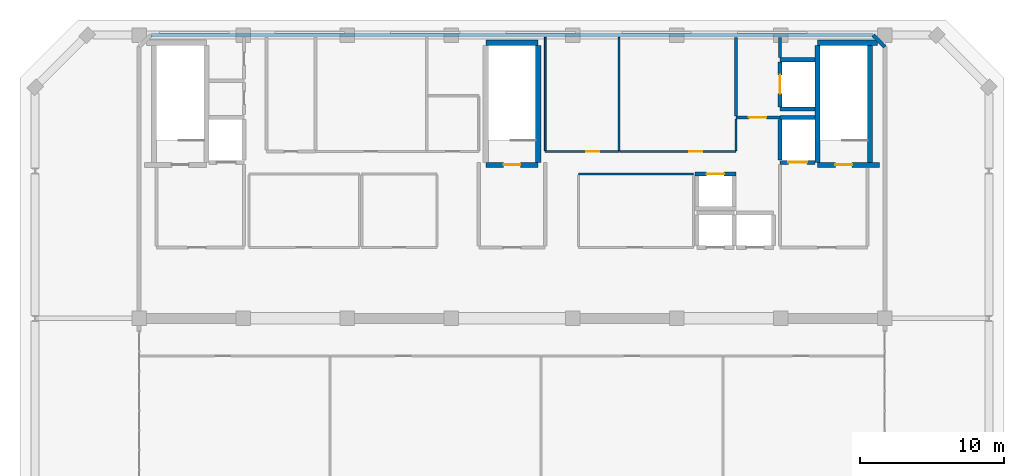
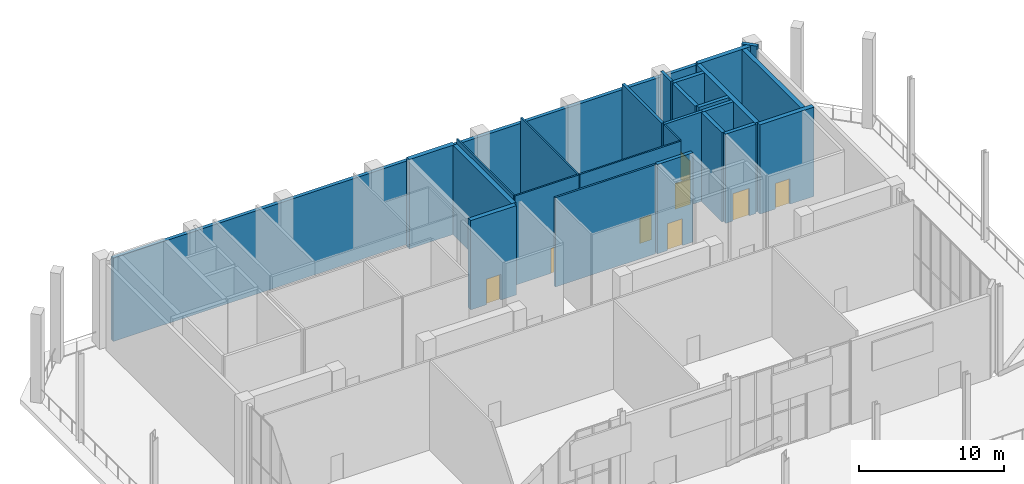
# One storey, part 22 of 23: 25 walls, 8 doors, 8 openings.
"""IFC4 building model written with IfcOpenShell, lengths in metres."""

import ifcopenshell
import ifcopenshell.guid

model = None  # the IFC model being written
_history = None  # IfcOwnerHistory: only IFC2X3 demands one
_inside = {}  # id of a spatial element -> (the spatial element, [elements in it])
_under = {}  # id of a project, library or spatial element -> (it, [spatial elements below it])
_declared = {}  # id of a project -> (the project, [libraries it declares])
_typed = {}  # id of a type object -> (the type object, [elements of that type])
_made_of = {}  # id of a material, layer set ... -> (it, [elements and type objects made of it])


def new_model(schema):
    """Start an empty IFC model of exactly this schema.

    Asked for "IFC4X3", IfcOpenShell would pick the latest addendum, in which some entities
    have other attributes; the version numbers below select the first issue.
    IFC2X3 requires an IfcOwnerHistory on every rooted entity: one is made here for all.
    """
    global model, _history
    if schema == "IFC4X3":
        model = ifcopenshell.file(schema_version=(4, 3, 0, 0))
    else:
        model = ifcopenshell.file(schema=schema)
    _inside.clear()
    _under.clear()
    _declared.clear()
    _typed.clear()
    _made_of.clear()
    _history = None
    if model.schema == "IFC2X3":
        org = make("IfcOrganization", Name="unknown")
        user = make(
            "IfcPersonAndOrganization",
            ThePerson=make("IfcPerson", FamilyName="unknown"),
            TheOrganization=org,
        )
        app = make(
            "IfcApplication",
            ApplicationDeveloper=org,
            Version="unknown",
            ApplicationFullName="unknown",
            ApplicationIdentifier="unknown",
        )
        _history = make(
            "IfcOwnerHistory",
            OwningUser=user,
            OwningApplication=app,
            ChangeAction="ADDED",
            CreationDate=0,
        )
    return model


def make(cls, **values):
    """One entity of the class cls with the attributes given. An attribute that is None is left unset."""
    return model.create_entity(
        cls, **{name: value for name, value in values.items() if value is not None}
    )


def rooted(cls, **values):
    """An entity with a GlobalId (a new one), such as an element, a storey or a relation."""
    return make(cls, GlobalId=ifcopenshell.guid.new(), OwnerHistory=_history, **values)


def si_unit(unit_type, name, prefix=None):
    """IfcSIUnit, for example si_unit("LENGTHUNIT", "METRE", prefix="MILLI")."""
    return make("IfcSIUnit", UnitType=unit_type, Prefix=prefix, Name=name)


def assignment(units):
    """IfcUnitAssignment: the units of a project."""
    return None if units is None else make("IfcUnitAssignment", Units=units)


def point(xyz):
    """IfcCartesianPoint."""
    return None if xyz is None else make("IfcCartesianPoint", Coordinates=xyz)


def direction(xyz):
    """IfcDirection."""
    return None if xyz is None else make("IfcDirection", DirectionRatios=xyz)


def frame(location, z_axis=None, x_axis=None):
    """IfcAxis2Placement3D, a coordinate frame: its origin and axes. An axis left out is left unset."""
    return make(
        "IfcAxis2Placement3D",
        Location=point(location),
        Axis=direction(z_axis),
        RefDirection=direction(x_axis),
    )


def frame_2d(location, x_axis=None):
    """IfcAxis2Placement2D, a coordinate frame in the plane: its origin and x axis."""
    return make(
        "IfcAxis2Placement2D", Location=point(location), RefDirection=direction(x_axis)
    )


def origin():
    """The frame at (0, 0, 0) with its axes left unset."""
    return frame((0.0, 0.0, 0.0))


def place(relative_to, where):
    """IfcLocalPlacement: puts the frame where relative to a parent placement (None: the world)."""
    return make(
        "IfcLocalPlacement", PlacementRelTo=relative_to, RelativePlacement=where
    )


def context(
    kind, dimensions, precision=None, world=None, true_north=None, identifier=None
):
    """IfcGeometricRepresentationContext, for example the 3D "Model" context."""
    return make(
        "IfcGeometricRepresentationContext",
        ContextIdentifier=identifier,
        ContextType=kind,
        CoordinateSpaceDimension=dimensions,
        Precision=precision,
        WorldCoordinateSystem=world,
        TrueNorth=true_north,
    )


def subcontext(parent, identifier, kind, view, scale=None):
    """IfcGeometricRepresentationSubContext, for example "Body" below "Model"."""
    return make(
        "IfcGeometricRepresentationSubContext",
        ContextIdentifier=identifier,
        ContextType=kind,
        ParentContext=parent,
        TargetScale=scale,
        TargetView=view,
    )


def project(units=None, contexts=None):
    """IfcProject with its units and contexts."""
    return rooted(
        "IfcProject",
        Name="project",
        RepresentationContexts=contexts,
        UnitsInContext=assignment(units),
    )


def spatial(cls, under=None, at=None, **own):
    """A site, building, storey or space (cls), placed at a placement, below another one or the project."""
    s = rooted(cls, ObjectPlacement=at, **own)
    if under is not None:
        _under.setdefault(under.id(), (under, []))[1].append(s)
    return s


def profile(cls, at=None, kind="AREA", **sizes):
    """A parametric profile (cls). Its sizes go by their IFC names, for example OverallWidth=200.0."""
    return make(cls, ProfileType=kind, Position=at, **sizes)


def rectangle(**sizes):
    """IfcRectangleProfileDef."""
    return profile("IfcRectangleProfileDef", **sizes)


def extrude(swept, where, along, depth):
    """IfcExtrudedAreaSolid: the profile swept, set in the frame where, extruded along a direction by depth."""
    return make(
        "IfcExtrudedAreaSolid",
        SweptArea=swept,
        Position=where,
        ExtrudedDirection=direction(along),
        Depth=depth,
    )


def shape(context_of_items, identifier, shape_type, items):
    """IfcShapeRepresentation: the items that make up one representation, for example the "Body"."""
    return make(
        "IfcShapeRepresentation",
        ContextOfItems=context_of_items,
        RepresentationIdentifier=identifier,
        RepresentationType=shape_type,
        Items=items,
    )


def material(Name=None, Category=None):
    """IfcMaterial."""
    return make("IfcMaterial", Name=Name, Category=Category)


def layer(
    of_material, thickness, ventilated=None, Name=None, Category=None, Priority=None
):
    """IfcMaterialLayer: one layer of a wall or slab, of a material (None: an air gap)."""
    return make(
        "IfcMaterialLayer",
        Material=of_material,
        LayerThickness=thickness,
        IsVentilated=ventilated,
        Name=Name,
        Category=Category,
        Priority=Priority,
    )


def layer_set(layers, Name=None):
    """IfcMaterialLayerSet."""
    return make("IfcMaterialLayerSet", MaterialLayers=layers, LayerSetName=Name)


def made_of(thing, what):
    """Note that an element or type object is made of a material, layer set ...; save() writes the relation."""
    if what is not None:
        _made_of.setdefault(what.id(), (what, []))[1].append(thing)
    return thing


def type_object(cls, material=None, **own):
    """A type object (cls), such as IfcWallType, which elements share."""
    return made_of(rooted(cls, **own), material)


def element(
    cls,
    number,
    at=None,
    inside=None,
    cuts=None,
    type_object=None,
    material=None,
    context=None,
    identifier="Body",
    shape_type=None,
    held_by="IfcProductDefinitionShape",
    body=None,
    shapes=None,
    **own,
):
    """One element of the class cls, such as IfcWall. Its Tag is "e" and its number.

    at: its placement. inside: the storey or other place that contains it. cuts: it is an
    opening in that element (IfcRelVoidsElement). A single representation is given by context,
    identifier, shape_type and body (its items); several are given by shapes. held_by: the class
    of the entity that holds the representations. save() writes the other relations.
    """
    e = rooted(cls, Tag="e%d" % number, ObjectPlacement=at, **own)
    if body is not None:
        shapes = [shape(context, identifier, shape_type, body)]
    if shapes is not None:
        e.Representation = make(held_by, Representations=shapes)
    if inside is not None:
        _inside.setdefault(inside.id(), (inside, []))[1].append(e)
    if cuts is not None:
        rooted(
            "IfcRelVoidsElement", RelatingBuildingElement=cuts, RelatedOpeningElement=e
        )
    if type_object is not None:
        _typed.setdefault(type_object.id(), (type_object, []))[1].append(e)
    return made_of(e, material)


def fill(opening, filler):
    """IfcRelFillsElement: the door or window that sits in an opening."""
    return rooted(
        "IfcRelFillsElement",
        RelatingOpeningElement=opening,
        RelatedBuildingElement=filler,
    )


def aggregate(whole, parts):
    """IfcRelAggregates: a whole, such as a stair, and the parts it consists of."""
    return rooted("IfcRelAggregates", RelatingObject=whole, RelatedObjects=parts)


def save(model, path):
    """Write the relations noted so far, then the file.

    IfcRelAggregates (storeys below a building ...), IfcRelContainedInSpatialStructure (elements
    in a storey), IfcRelDefinesByType, IfcRelAssociatesMaterial and IfcRelDeclares: one each for
    every whole, place, type object, material and project.
    """
    for whole, parts in _under.values():
        aggregate(whole, parts)
    for where, things in _inside.values():
        rooted(
            "IfcRelContainedInSpatialStructure",
            RelatedElements=things,
            RelatingStructure=where,
        )
    for kind, things in _typed.values():
        rooted("IfcRelDefinesByType", RelatedObjects=things, RelatingType=kind)
    for what, things in _made_of.values():
        rooted("IfcRelAssociatesMaterial", RelatedObjects=things, RelatingMaterial=what)
    for by, libraries in _declared.values():
        rooted("IfcRelDeclares", RelatingContext=by, RelatedDefinitions=libraries)
    model.write(path)


model = new_model("IFC4")

# Units and contexts
model_context = context("Model", 3, precision=1e-05, world=origin(), true_north=direction((0.0, 1.0)))
body_context = subcontext(model_context, "Body", "Model", "MODEL_VIEW")
ifc_project = project(units=[si_unit("LENGTHUNIT", "METRE"), si_unit("AREAUNIT", "SQUARE_METRE"), si_unit("VOLUMEUNIT", "CUBIC_METRE"), si_unit("PLANEANGLEUNIT", "RADIAN"), si_unit("MASSUNIT", "GRAM", prefix="KILO")], contexts=[model_context])

# Site, building, storey
site_placement = place(None, origin())
site = spatial("IfcSite", under=ifc_project, at=site_placement, CompositionType="ELEMENT")
building_placement = place(site_placement, origin())
building = spatial("IfcBuilding", under=site, at=building_placement, Name="Kaelvorn Grand Hotel", CompositionType="ELEMENT")
storey_placement = place(building_placement, frame((0.0, 0.0, 310.699951171875)))
storey = spatial("IfcBuildingStorey", under=building, at=storey_placement, Name="L75", CompositionType="ELEMENT", Elevation=310.699951171875)

# Walls
ifc_material_1 = material(Name="Concrete C40/50", Category="concrete")
ifc_layer_1 = layer(ifc_material_1, 0.280029296875)
ifc_layer_set_1 = layer_set([ifc_layer_1], Name="Concrete C40/50")
wall_type_1 = type_object("IfcWallType", Name="WL-EXT-280-C40", PredefinedType="SOLIDWALL", material=ifc_layer_set_1)
wall_1_placement = place(storey_placement, frame((67.800048828125, 48.199951171875, 0.0), z_axis=(0.0, 0.0, 1.0), x_axis=(-0.707106781187, 0.707106781187, 0.0)))
element("IfcWall", 1, at=wall_1_placement, inside=storey, type_object=wall_type_1, Name="L75 Exterior Architectural Concrete Wall 04", PredefinedType="SOLIDWALL", context=body_context, shape_type="SweptSolid", body=[
    extrude(rectangle(XDim=1.13134765625, YDim=0.280029296875, at=frame_2d((0.565673828125, 0.0))), origin(), (0.0, 0.0, 1.0), 7.5),
])
wall_2_placement = place(storey_placement, frame((67.0, 49.0, 0.0), z_axis=(0.0, 0.0, 1.0), x_axis=(-1.0, 0.0, 0.0)))
element("IfcWall", 2, at=wall_2_placement, inside=storey, type_object=wall_type_1, Name="L75 Exterior Architectural Concrete Wall 05", PredefinedType="SOLIDWALL", context=body_context, shape_type="SweptSolid", body=[
    extrude(rectangle(XDim=50.0, YDim=0.280029296875, at=frame_2d((25.0, 0.0))), origin(), (0.0, 0.0, 1.0), 7.0),
])

# Wall, opening, door
ifc_material_2 = material(Name="Moisture-Resistant Tile & Stud Board")
ifc_layer_2 = layer(ifc_material_2, 0.125)
ifc_layer_set_2 = layer_set([ifc_layer_2], Name="Moisture-Resistant Tile & Stud Board")
wall_type_2 = type_object("IfcWallType", Name="WL-PART-125-WET", PredefinedType="PARTITIONING", material=ifc_layer_set_2)
wall_3_placement = place(storey_placement, frame((44.300048828125, 40.949951171875, 0.0), z_axis=(0.0, 0.0, 1.0), x_axis=(1.0, 0.0, 0.0)))
wall_3 = element("IfcWall", 3, at=wall_3_placement, inside=storey, type_object=wall_type_2, Name="L75 Male Toilets S Partition", PredefinedType="PARTITIONING", context=body_context, shape_type="SweptSolid", body=[
    extrude(rectangle(XDim=5.099853515625, YDim=0.125, at=frame_2d((2.5498046875, 0.0))), origin(), (0.0, 0.0, 1.0), 7.5),
])
opening_1_placement = place(wall_3_placement, frame((2.85009765625, 0.0, 0.0)))
opening_1 = element("IfcOpeningElement", 4, at=opening_1_placement, cuts=wall_3, Name="Opening DI4", PredefinedType="OPENING", context=body_context, shape_type="SweptSolid", body=[
    extrude(rectangle(XDim=0.89990234375, YDim=2.10009765625, at=frame_2d((0.449951171875, 1.050048828125))), frame((0.0, 0.072509765625, 0.0), z_axis=(0.0, -1.0, 0.0), x_axis=(1.0, 0.0, 0.0)), (0.0, 0.0, 1.0), 0.14501953125),
])
ifc_material_3 = material(Name="Timber Veneer Leaf", Category="wood")
door_type_1 = type_object("IfcDoorType", Name="DR-INT-BATH-900x2100", OperationType="NOTDEFINED", PredefinedType="DOOR", material=ifc_material_3)
door_1_placement = place(opening_1_placement, origin())
door_1 = element("IfcDoor", 5, at=door_1_placement, inside=storey, type_object=door_type_1, Name="L75 Male Toilets Door", OperationType="SINGLE_SWING_LEFT", OverallHeight=2.10009765625, OverallWidth=0.89990234375, PredefinedType="DOOR", context=body_context, shape_type="SweptSolid", body=[
    extrude(rectangle(XDim=0.89990234375, YDim=2.10009765625, at=frame_2d((0.449951171875, 1.050048828125))), frame((0.0, 0.02490234375, 0.0), z_axis=(0.0, -1.0, 0.0), x_axis=(1.0, 0.0, 0.0)), (0.0, 0.0, 1.0), 0.050048828125),
])
fill(opening_1, door_1)

# Walls
for number, where, z_axis, x_axis, name in (
    (6, (44.300048828125, 41.017578125, 0.0), (0.0, 0.0, 1.0), (0.0, 1.0, 0.0), "L75 Male Toilets W Partition"),
    (7, (49.39990234375, 41.017578125, 0.0), (0.0, 0.0, 1.0), (0.0, 1.0, 0.0), "L75 Male Toilets E Partition"),
):
    element("IfcWall", number, at=place(storey_placement, frame(where, z_axis=z_axis, x_axis=x_axis)), inside=storey, type_object=wall_type_2, Name=name, PredefinedType="PARTITIONING", context=body_context, shape_type="SweptSolid", body=[
        extrude(rectangle(XDim=7.83251953125, YDim=0.125, at=frame_2d((3.916259765625, 0.0))), origin(), (0.0, 0.0, 1.0), 7.5),
    ])

# Wall, opening, door
wall_4_placement = place(storey_placement, frame((49.467529296875, 40.949951171875, 0.0), z_axis=(0.0, 0.0, 1.0), x_axis=(1.0, 0.0, 0.0)))
wall_4 = element("IfcWall", 8, at=wall_4_placement, inside=storey, type_object=wall_type_2, Name="L75 Female Toilets S Partition", PredefinedType="PARTITIONING", context=body_context, shape_type="SweptSolid", body=[
    extrude(rectangle(XDim=8.032470703125, YDim=0.125, at=frame_2d((4.01611328125, 0.0))), origin(), (0.0, 0.0, 1.0), 7.5),
])
opening_2_placement = place(wall_4_placement, frame((4.782470703125, 0.0, 0.0)))
opening_2 = element("IfcOpeningElement", 9, at=opening_2_placement, cuts=wall_4, Name="Opening DI4", PredefinedType="OPENING", context=body_context, shape_type="SweptSolid", body=[
    extrude(rectangle(XDim=0.89990234375, YDim=2.10009765625, at=frame_2d((0.449951171875, 1.050048828125))), frame((0.0, 0.072509765625, 0.0), z_axis=(0.0, -1.0, 0.0), x_axis=(1.0, 0.0, 0.0)), (0.0, 0.0, 1.0), 0.14501953125),
])
door_2_placement = place(opening_2_placement, origin())
door_2 = element("IfcDoor", 10, at=door_2_placement, inside=storey, type_object=door_type_1, Name="L75 Female Toilets Door", OperationType="SINGLE_SWING_RIGHT", OverallHeight=2.10009765625, OverallWidth=0.89990234375, PredefinedType="DOOR", context=body_context, shape_type="SweptSolid", body=[
    extrude(rectangle(XDim=0.89990234375, YDim=2.10009765625, at=frame_2d((0.449951171875, 1.050048828125))), frame((0.0, 0.02490234375, 0.0), z_axis=(0.0, -1.0, 0.0), x_axis=(1.0, 0.0, 0.0)), (0.0, 0.0, 1.0), 0.050048828125),
])
fill(opening_2, door_2)

# Walls
wall_5_placement = place(storey_placement, frame((57.5, 41.017578125, 0.0), z_axis=(0.0, 0.0, 1.0), x_axis=(0.0, 1.0, 0.0)))
element("IfcWall", 11, at=wall_5_placement, inside=storey, type_object=wall_type_2, Name="L75 Female Toilets E Partition", PredefinedType="PARTITIONING", context=body_context, shape_type="SweptSolid", body=[
    extrude(rectangle(XDim=2.16748046875, YDim=0.125, at=frame_2d((1.083740234375, 0.0))), origin(), (0.0, 0.0, 1.0), 7.5),
])
ifc_material_4 = material(Name="Acoustic Gypsum & Stud Partition")
ifc_layer_3 = layer(ifc_material_4, 0.14990234375)
ifc_layer_set_3 = layer_set([ifc_layer_3], Name="Acoustic Gypsum & Stud Partition")
wall_type_3 = type_object("IfcWallType", Name="WL-PART-150-EI60", PredefinedType="PARTITIONING", material=ifc_layer_set_3)
wall_6_placement = place(storey_placement, frame((46.60009765625, 39.39990234375, 0.0), z_axis=(0.0, 0.0, 1.0), x_axis=(1.0, 0.0, 0.0)))
element("IfcWall", 12, at=wall_6_placement, inside=storey, type_object=wall_type_3, Name="L75 Sky Concierge & Butler Pantry Lounge N Partition", PredefinedType="PARTITIONING", context=body_context, shape_type="SweptSolid", body=[
    extrude(rectangle(XDim=7.949951171875, YDim=0.14990234375, at=frame_2d((3.97509765625, 0.0))), origin(), (0.0, 0.0, 1.0), 7.5),
])

# Wall, opening, door
ifc_layer_4 = layer(ifc_material_1, 0.219970703125)
ifc_layer_set_4 = layer_set([ifc_layer_4], Name="Concrete C40/50")
wall_type_4 = type_object("IfcWallType", Name="WL-PART-220-EI120", PredefinedType="PARTITIONING", material=ifc_layer_set_4)
wall_7_placement = place(storey_placement, frame((57.5, 43.300048828125, 0.0), z_axis=(0.0, 0.0, 1.0), x_axis=(1.0, 0.0, 0.0)))
wall_7 = element("IfcWall", 13, at=wall_7_placement, inside=storey, type_object=wall_type_4, Name="L75 Service Lift Lobby S Partition", PredefinedType="PARTITIONING", context=body_context, shape_type="SweptSolid", body=[
    extrude(rectangle(XDim=3.0400390625, YDim=0.219970703125, at=frame_2d((1.52001953125, 0.0))), origin(), (0.0, 0.0, 1.0), 7.5),
])
opening_3_placement = place(wall_7_placement, frame((0.89990234375, 0.0, 0.0)))
opening_3 = element("IfcOpeningElement", 14, at=opening_3_placement, cuts=wall_7, Name="Opening DI2", PredefinedType="OPENING", context=body_context, shape_type="SweptSolid", body=[
    extrude(rectangle(XDim=1.199951171875, YDim=2.14990234375, at=frame_2d((0.60009765625, 1.074951171875))), frame((0.0, 0.1201171875, 0.0), z_axis=(0.0, -1.0, 0.0), x_axis=(1.0, 0.0, 0.0)), (0.0, 0.0, 1.0), 0.239990234375),
])
ifc_material_5 = material(Name="Timber Veneer Fire Leaf", Category="wood")
door_type_2 = type_object("IfcDoorType", Name="DR-INT-FFLOB-1200x2150", OperationType="NOTDEFINED", PredefinedType="DOOR", material=ifc_material_5)
door_3_placement = place(opening_3_placement, origin())
door_3 = element("IfcDoor", 15, at=door_3_placement, inside=storey, type_object=door_type_2, Name="L75 Service Lift Lobby Door", OperationType="SINGLE_SWING_RIGHT", OverallHeight=2.14990234375, OverallWidth=1.199951171875, PredefinedType="DOOR", context=body_context, shape_type="SweptSolid", body=[
    extrude(rectangle(XDim=1.199951171875, YDim=2.14990234375, at=frame_2d((0.60009765625, 1.074951171875))), frame((0.0, 0.02490234375, 0.0), z_axis=(0.0, -1.0, 0.0), x_axis=(1.0, 0.0, 0.0)), (0.0, 0.0, 1.0), 0.050048828125),
])
fill(opening_3, door_3)

# Walls
wall_8_placement = place(storey_placement, frame((57.5, 43.4150390625, 0.0), z_axis=(0.0, 0.0, 1.0), x_axis=(0.0, 1.0, 0.0)))
element("IfcWall", 16, at=wall_8_placement, inside=storey, type_object=wall_type_4, Name="L75 Service Lift Lobby W Partition", PredefinedType="PARTITIONING", context=body_context, shape_type="SweptSolid", body=[
    extrude(rectangle(XDim=5.43505859375, YDim=0.219970703125, at=frame_2d((2.717529296875, 0.0))), origin(), (0.0, 0.0, 1.0), 7.5),
])
wall_9_placement = place(storey_placement, frame((60.550048828125, 47.445068359375, 0.0), z_axis=(0.0, 0.0, 1.0), x_axis=(0.0, 1.0, 0.0)))
element("IfcWall", 17, at=wall_9_placement, inside=storey, type_object=wall_type_4, Name="L75 Service Lift Lobby E Partition", PredefinedType="PARTITIONING", context=body_context, shape_type="SweptSolid", body=[
    extrude(rectangle(XDim=1.405029296875, YDim=0.219970703125, at=frame_2d((0.70263671875, 0.0))), origin(), (0.0, 0.0, 1.0), 7.5),
])

# Wall, opening, door
ifc_material_6 = material(Name="Concrete C50/60", Category="concrete")
ifc_layer_5 = layer(ifc_material_6, 0.280029296875)
ifc_layer_set_5 = layer_set([ifc_layer_5], Name="Concrete C50/60")
wall_type_5 = type_object("IfcWallType", Name="WL-SHAFT-280-C50", PredefinedType="SHEAR", material=ifc_layer_set_5)
wall_10_placement = place(storey_placement, frame((54.659912109375, 39.39990234375, 0.0), z_axis=(0.0, 0.0, 1.0), x_axis=(1.0, 0.0, 0.0)))
wall_10 = element("IfcWall", 18, at=wall_10_placement, inside=storey, type_object=wall_type_5, Name="L75 Lift OL-3 Shaft North Wall", PredefinedType="SHEAR", context=body_context, shape_type="SweptSolid", body=[
    extrude(rectangle(XDim=2.830078125, YDim=0.280029296875, at=frame_2d((1.4150390625, 0.0))), origin(), (0.0, 0.0, 1.0), 7.5),
])
opening_4_placement = place(wall_10_placement, frame((0.81494140625, 0.0, 0.0)))
opening_4 = element("IfcOpeningElement", 19, at=opening_4_placement, cuts=wall_10, Name="Opening LD-OL-3", PredefinedType="OPENING", context=body_context, shape_type="SweptSolid", body=[
    extrude(rectangle(XDim=1.199951171875, YDim=2.25, at=frame_2d((0.60009765625, 1.125))), frame((0.0, 0.14990234375, 0.0), z_axis=(0.0, -1.0, 0.0), x_axis=(1.0, 0.0, 0.0)), (0.0, 0.0, 1.0), 0.300048828125),
])
ifc_material_7 = material(Name="Stainless Steel", Category="steel")
door_type_3 = type_object("IfcDoorType", Name="DR-LIFT-SHUT-1200x2250", OperationType="DOUBLE_DOOR_SLIDING", PredefinedType="DOOR", material=ifc_material_7)
door_4_placement = place(opening_4_placement, origin())
door_4 = element("IfcDoor", 20, at=door_4_placement, inside=storey, type_object=door_type_3, Name="L75 Lift OL-3 Sliding Landing Door LD-OL-3", OperationType="DOUBLE_DOOR_SLIDING", OverallHeight=2.25, OverallWidth=1.199951171875, PredefinedType="DOOR", context=body_context, shape_type="SweptSolid", body=[
    extrude(rectangle(XDim=1.199951171875, YDim=2.25, at=frame_2d((0.60009765625, 1.125))), frame((0.0, 0.02490234375, 0.0), z_axis=(0.0, -1.0, 0.0), x_axis=(1.0, 0.0, 0.0)), (0.0, 0.0, 1.0), 0.050048828125),
])
fill(opening_4, door_4)

wall_11_placement = place(storey_placement, frame((60.550048828125, 40.199951171875, 0.0), z_axis=(0.0, 0.0, 1.0), x_axis=(1.0, 0.0, 0.0)))
wall_11 = element("IfcWall", 21, at=wall_11_placement, inside=storey, type_object=wall_type_5, Name="L75 Lift FFL2 Shaft South Wall", PredefinedType="SHEAR", context=body_context, shape_type="SweptSolid", body=[
    extrude(rectangle(XDim=2.4150390625, YDim=0.280029296875, at=frame_2d((1.20751953125, 0.0))), origin(), (0.0, 0.0, 1.0), 7.5),
])
opening_5_placement = place(wall_11_placement, frame((0.574951171875, 0.0, 0.0)))
opening_5 = element("IfcOpeningElement", 22, at=opening_5_placement, cuts=wall_11, Name="Opening LD-FFL2", PredefinedType="OPENING", context=body_context, shape_type="SweptSolid", body=[
    extrude(rectangle(XDim=1.300048828125, YDim=2.300048828125, at=frame_2d((0.64990234375, 1.14990234375))), frame((0.0, 0.14990234375, 0.0), z_axis=(0.0, -1.0, 0.0), x_axis=(1.0, 0.0, 0.0)), (0.0, 0.0, 1.0), 0.300048828125),
])
door_type_4 = type_object("IfcDoorType", Name="DR-LIFT-SERV-1300x2300", OperationType="DOUBLE_DOOR_SLIDING", PredefinedType="DOOR", material=ifc_material_7)
door_5_placement = place(opening_5_placement, origin())
door_5 = element("IfcDoor", 23, at=door_5_placement, inside=storey, type_object=door_type_4, Name="L75 Lift FFL2 Sliding Landing Door LD-FFL2", OperationType="DOUBLE_DOOR_SLIDING", OverallHeight=2.300048828125, OverallWidth=1.300048828125, PredefinedType="DOOR", context=body_context, shape_type="SweptSolid", body=[
    extrude(rectangle(XDim=1.300048828125, YDim=2.300048828125, at=frame_2d((0.64990234375, 1.14990234375))), frame((0.0, 0.02490234375, 0.0), z_axis=(0.0, -1.0, 0.0), x_axis=(1.0, 0.0, 0.0)), (0.0, 0.0, 1.0), 0.050048828125),
])
fill(opening_5, door_5)

# Walls
wall_12_placement = place(storey_placement, frame((60.550048828125, 43.300048828125, 0.0), z_axis=(0.0, 0.0, 1.0), x_axis=(1.0, 0.0, 0.0)))
element("IfcWall", 24, at=wall_12_placement, inside=storey, type_object=wall_type_5, Name="L75 Lift FFL2 Shaft North Wall", PredefinedType="SHEAR", context=body_context, shape_type="SweptSolid", body=[
    extrude(rectangle(XDim=2.4150390625, YDim=0.280029296875, at=frame_2d((1.20751953125, 0.0))), origin(), (0.0, 0.0, 1.0), 7.5),
])
wall_13_placement = place(storey_placement, frame((60.550048828125, 40.344970703125, 0.0), z_axis=(0.0, 0.0, 1.0), x_axis=(0.0, 1.0, 0.0)))
element("IfcWall", 25, at=wall_13_placement, inside=storey, type_object=wall_type_5, Name="L75 Lift FFL2 Shaft West Wall", PredefinedType="SHEAR", context=body_context, shape_type="SweptSolid", body=[
    extrude(rectangle(XDim=2.81005859375, YDim=0.280029296875, at=frame_2d((1.405029296875, 0.0))), origin(), (0.0, 0.0, 1.0), 7.5),
])
for number, where, z_axis, x_axis, name in (
    (26, (60.550048828125, 43.89990234375, 0.0), (0.0, 0.0, 1.0), (1.0, 0.0, 0.0), "L75 Lift SV1 Shaft South Wall"),
    (27, (60.550048828125, 47.300048828125, 0.0), (0.0, 0.0, 1.0), (1.0, 0.0, 0.0), "L75 Lift SV1 Shaft North Wall"),
):
    element("IfcWall", number, at=place(storey_placement, frame(where, z_axis=z_axis, x_axis=x_axis)), inside=storey, type_object=wall_type_5, Name=name, PredefinedType="SHEAR", context=body_context, shape_type="SweptSolid", body=[
        extrude(rectangle(XDim=2.4150390625, YDim=0.280029296875, at=frame_2d((1.20751953125, 0.0))), origin(), (0.0, 0.0, 1.0), 7.5),
    ])

# Wall, opening, door
wall_14_placement = place(storey_placement, frame((60.550048828125, 44.044921875, 0.0), z_axis=(0.0, 0.0, 1.0), x_axis=(0.0, 1.0, 0.0)))
wall_14 = element("IfcWall", 28, at=wall_14_placement, inside=storey, type_object=wall_type_5, Name="L75 Lift SV1 Shaft West Wall", PredefinedType="SHEAR", context=body_context, shape_type="SweptSolid", body=[
    extrude(rectangle(XDim=3.110107421875, YDim=0.280029296875, at=frame_2d((1.55517578125, 0.0))), origin(), (0.0, 0.0, 1.0), 7.5),
])
opening_6_placement = place(wall_14_placement, frame((0.905029296875, 0.0, 0.0)))
opening_6 = element("IfcOpeningElement", 29, at=opening_6_placement, cuts=wall_14, Name="Opening LD-SV1", PredefinedType="OPENING", context=body_context, shape_type="SweptSolid", body=[
    extrude(rectangle(XDim=1.300048828125, YDim=2.300048828125, at=frame_2d((0.64990234375, 1.14990234375))), frame((0.0, 0.14990234375, 0.0), z_axis=(0.0, -1.0, 0.0), x_axis=(1.0, 0.0, 0.0)), (0.0, 0.0, 1.0), 0.300048828125),
])
door_6_placement = place(opening_6_placement, origin())
door_6 = element("IfcDoor", 30, at=door_6_placement, inside=storey, type_object=door_type_4, Name="L75 Lift SV1 Sliding Landing Door LD-SV1", OperationType="DOUBLE_DOOR_SLIDING", OverallHeight=2.300048828125, OverallWidth=1.300048828125, PredefinedType="DOOR", context=body_context, shape_type="SweptSolid", body=[
    extrude(rectangle(XDim=1.300048828125, YDim=2.300048828125, at=frame_2d((0.64990234375, 1.14990234375))), frame((0.0, 0.02490234375, 0.0), z_axis=(0.0, -1.0, 0.0), x_axis=(1.0, 0.0, 0.0)), (0.0, 0.0, 1.0), 0.050048828125),
])
fill(opening_6, door_6)

ifc_material_8 = material(Name="Concrete C60/75", Category="concrete")
ifc_layer_6 = layer(ifc_material_8, 0.35009765625)
ifc_layer_set_6 = layer_set([ifc_layer_6], Name="Concrete C60/75")
wall_type_6 = type_object("IfcWallType", Name="WL-SHAFT-350-C60", PredefinedType="SHEAR", material=ifc_layer_set_6)
wall_15_placement = place(storey_placement, frame((40.18505859375, 40.02490234375, 0.0), z_axis=(0.0, 0.0, 1.0), x_axis=(1.0, 0.0, 0.0)))
wall_15 = element("IfcWall", 31, at=wall_15_placement, inside=storey, type_object=wall_type_6, Name="L75 ST2 Stair Shaft South Wall", PredefinedType="SHEAR", context=body_context, shape_type="SweptSolid", body=[
    extrude(rectangle(XDim=3.6298828125, YDim=0.35009765625, at=frame_2d((1.81494140625, 0.0))), origin(), (0.0, 0.0, 1.0), 7.5),
])
opening_7_placement = place(wall_15_placement, frame((1.239990234375, 0.0, 0.0)))
opening_7 = element("IfcOpeningElement", 32, at=opening_7_placement, cuts=wall_15, Name="Opening DI1", PredefinedType="OPENING", context=body_context, shape_type="SweptSolid", body=[
    extrude(rectangle(XDim=1.14990234375, YDim=2.14990234375, at=frame_2d((0.574951171875, 1.074951171875))), frame((0.0, 0.18505859375, 0.0), z_axis=(0.0, -1.0, 0.0), x_axis=(1.0, 0.0, 0.0)), (0.0, 0.0, 1.0), 0.3701171875),
])
door_type_5 = type_object("IfcDoorType", Name="DR-INT-STAIR-1150x2150", OperationType="NOTDEFINED", PredefinedType="DOOR", material=ifc_material_5)
door_7_placement = place(opening_7_placement, origin())
door_7 = element("IfcDoor", 33, at=door_7_placement, inside=storey, type_object=door_type_5, Name="L75 ST2 Exit Stair Fire Door", OperationType="SINGLE_SWING_LEFT", OverallHeight=2.14990234375, OverallWidth=1.14990234375, PredefinedType="DOOR", context=body_context, shape_type="SweptSolid", body=[
    extrude(rectangle(XDim=1.14990234375, YDim=2.14990234375, at=frame_2d((0.574951171875, 1.074951171875))), frame((0.0, 0.02490234375, 0.0), z_axis=(0.0, -1.0, 0.0), x_axis=(1.0, 0.0, 0.0)), (0.0, 0.0, 1.0), 0.050048828125),
])
fill(opening_7, door_7)

# Walls
wall_16_placement = place(storey_placement, frame((40.18505859375, 48.47509765625, 0.0), z_axis=(0.0, 0.0, 1.0), x_axis=(1.0, 0.0, 0.0)))
element("IfcWall", 34, at=wall_16_placement, inside=storey, type_object=wall_type_6, Name="L75 ST2 Stair Shaft North Wall", PredefinedType="SHEAR", context=body_context, shape_type="SweptSolid", body=[
    extrude(rectangle(XDim=3.6298828125, YDim=0.35009765625, at=frame_2d((1.81494140625, 0.0))), origin(), (0.0, 0.0, 1.0), 7.5),
])
wall_17_placement = place(storey_placement, frame((43.81494140625, 40.205078125, 0.0), z_axis=(0.0, 0.0, 1.0), x_axis=(0.0, 1.0, 0.0)))
element("IfcWall", 35, at=wall_17_placement, inside=storey, type_object=wall_type_6, Name="L75 ST2 Stair Shaft East Wall", PredefinedType="SHEAR", context=body_context, shape_type="SweptSolid", body=[
    extrude(rectangle(XDim=8.08984375, YDim=0.35009765625, at=frame_2d((4.044921875, 0.0))), origin(), (0.0, 0.0, 1.0), 7.5),
])

# Wall, opening, door
wall_18_placement = place(storey_placement, frame((63.14501953125, 40.02490234375, 0.0), z_axis=(0.0, 0.0, 1.0), x_axis=(1.0, 0.0, 0.0)))
wall_18 = element("IfcWall", 36, at=wall_18_placement, inside=storey, type_object=wall_type_6, Name="L75 ST3 Stair Shaft South Wall", PredefinedType="SHEAR", context=body_context, shape_type="SweptSolid", body=[
    extrude(rectangle(XDim=4.304931640625, YDim=0.35009765625, at=frame_2d((2.15234375, 0.0))), origin(), (0.0, 0.0, 1.0), 7.5),
])
opening_8_placement = place(wall_18_placement, frame((1.239990234375, 0.0, 0.0)))
opening_8 = element("IfcOpeningElement", 37, at=opening_8_placement, cuts=wall_18, Name="Opening DI1", PredefinedType="OPENING", context=body_context, shape_type="SweptSolid", body=[
    extrude(rectangle(XDim=1.14990234375, YDim=2.14990234375, at=frame_2d((0.574951171875, 1.074951171875))), frame((0.0, 0.18505859375, 0.0), z_axis=(0.0, -1.0, 0.0), x_axis=(1.0, 0.0, 0.0)), (0.0, 0.0, 1.0), 0.3701171875),
])
door_8_placement = place(opening_8_placement, origin())
door_8 = element("IfcDoor", 38, at=door_8_placement, inside=storey, type_object=door_type_5, Name="L75 ST3 Exit Stair Fire Door", OperationType="SINGLE_SWING_RIGHT", OverallHeight=2.14990234375, OverallWidth=1.14990234375, PredefinedType="DOOR", context=body_context, shape_type="SweptSolid", body=[
    extrude(rectangle(XDim=1.14990234375, YDim=2.14990234375, at=frame_2d((0.574951171875, 1.074951171875))), frame((0.0, 0.02490234375, 0.0), z_axis=(0.0, -1.0, 0.0), x_axis=(1.0, 0.0, 0.0)), (0.0, 0.0, 1.0), 0.050048828125),
])
fill(opening_8, door_8)

# Walls
wall_19_placement = place(storey_placement, frame((63.14501953125, 48.47509765625, 0.0), z_axis=(0.0, 0.0, 1.0), x_axis=(1.0, 0.0, 0.0)))
element("IfcWall", 39, at=wall_19_placement, inside=storey, type_object=wall_type_6, Name="L75 ST3 Stair Shaft North Wall", PredefinedType="SHEAR", context=body_context, shape_type="SweptSolid", body=[
    extrude(rectangle(XDim=4.14990234375, YDim=0.35009765625, at=frame_2d((2.074951171875, 0.0))), origin(), (0.0, 0.0, 1.0), 7.5),
])
for number, where, z_axis, x_axis, name in (
    (40, (63.14501953125, 40.205078125, 0.0), (0.0, 0.0, 1.0), (0.0, 1.0, 0.0), "L75 ST3 Stair Shaft West Wall"),
    (41, (66.77490234375, 40.205078125, 0.0), (0.0, 0.0, 1.0), (0.0, 1.0, 0.0), "L75 ST3 Stair Shaft East Wall"),
):
    element("IfcWall", number, at=place(storey_placement, frame(where, z_axis=z_axis, x_axis=x_axis)), inside=storey, type_object=wall_type_6, Name=name, PredefinedType="SHEAR", context=body_context, shape_type="SweptSolid", body=[
        extrude(rectangle(XDim=8.08984375, YDim=0.35009765625, at=frame_2d((4.044921875, 0.0))), origin(), (0.0, 0.0, 1.0), 7.5),
    ])

save(model, "model.ifc")
